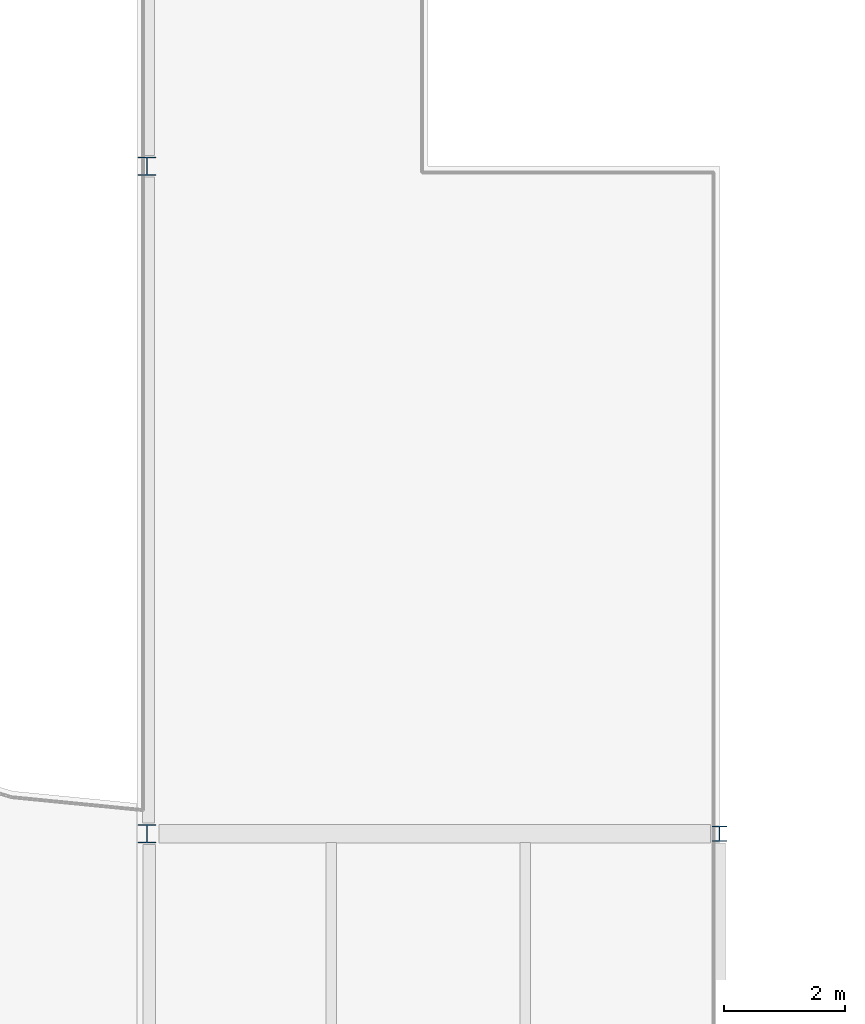
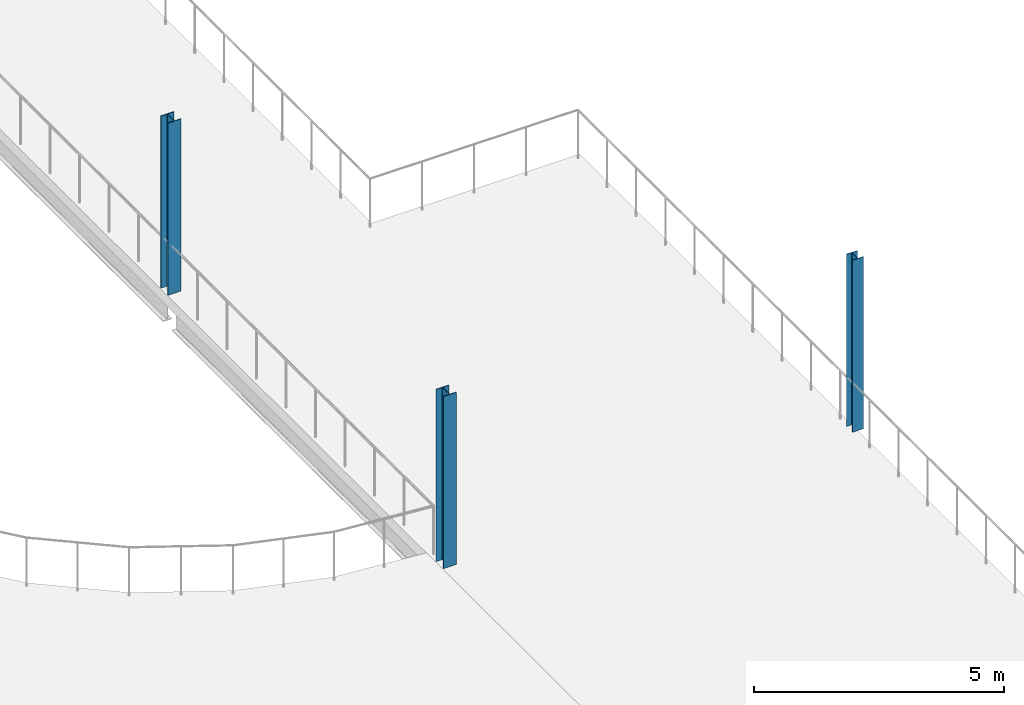
# One storey, part 4 of 58: 3 columns.
"""IFC4 building model written with IfcOpenShell, lengths in metres."""

from ifc_helpers import new_model, si_unit, direction, frame, origin, origin_2d, place, context, subcontext, project, spatial, i_section, extrude, material, material_profile, profile_set, type_object, element, save


model = new_model("IFC4")

# Units and contexts
model_context = context("Model", 3, precision=1e-05, world=origin(), true_north=direction((0.0, 1.0)))
body_context = subcontext(model_context, "Body", "Model", "MODEL_VIEW")
ifc_project = project(units=[si_unit("LENGTHUNIT", "METRE"), si_unit("AREAUNIT", "SQUARE_METRE"), si_unit("VOLUMEUNIT", "CUBIC_METRE"), si_unit("PLANEANGLEUNIT", "RADIAN"), si_unit("MASSUNIT", "GRAM", prefix="KILO")], contexts=[model_context])

# Site, building, storey
site_placement = place(None, origin())
site = spatial("IfcSite", under=ifc_project, at=site_placement, CompositionType="ELEMENT")
building_placement = place(site_placement, origin())
building = spatial("IfcBuilding", under=site, at=building_placement, Name="Yeouljin Market Hall", CompositionType="ELEMENT")
storey_placement = place(building_placement, frame((0.0, 0.0, 10.800048828125)))
storey = spatial("IfcBuildingStorey", under=building, at=storey_placement, Name="L02", CompositionType="ELEMENT", Elevation=10.800048828125)

# Columns
ifc_material_1 = material(Name="Steel SM355", Category="steel")
ifc_material_profile_1 = material_profile(ifc_material_1, i_section(OverallWidth=0.25, OverallDepth=0.25, WebThickness=0.009033203125, FlangeThickness=0.013916015625, FilletRadius=0.01611328125, at=origin_2d()), Name="H-250x250x9x14")
ifc_profile_set_1 = profile_set([ifc_material_profile_1], Name="Steel SM355")
column_type_1 = type_object("IfcColumnType", Name="Col_H-250x250x9x14", PredefinedType="COLUMN", material=ifc_profile_set_1)
column_placement = place(storey_placement, frame((45.0, 46.0, 0.0), z_axis=(0.0, 0.0, 1.0), x_axis=(1.0, 0.0, 0.0)))
element("IfcColumn", 1, at=column_placement, inside=storey, type_object=column_type_1, Name="Column G-06-05 (L02)", PredefinedType="COLUMN", context=body_context, shape_type="SweptSolid", body=[
    extrude(i_section(OverallWidth=0.25, OverallDepth=0.25, WebThickness=0.009033203125, FlangeThickness=0.013916015625, FilletRadius=0.01611328125, at=origin_2d()), origin(), (0.0, 0.0, 1.0), 4.199951171875),
])
ifc_material_2 = material(Name="Steel SM355", Category="steel")
ifc_material_profile_2 = material_profile(ifc_material_2, i_section(OverallWidth=0.300048828125, OverallDepth=0.300048828125, WebThickness=0.010009765625, FlangeThickness=0.014892578125, FilletRadius=0.01806640625, at=origin_2d()), Name="H-300x300x10x15")
ifc_profile_set_2 = profile_set([ifc_material_profile_2], Name="Steel SM355")
column_type_2 = type_object("IfcColumnType", Name="Col_H-300x300x10x15", PredefinedType="COLUMN", material=ifc_profile_set_2)
for number, where, z_axis, x_axis, name in (
    (2, (35.56494140625, 46.0, 0.0), (0.0, 0.0, 1.0), (1.0, 0.0, 0.0), "Column G-05-05 (L02)"),
    (3, (35.56494140625, 57.0, 0.0), (0.0, 0.0, 1.0), (1.0, 0.0, 0.0), "Column G-05-06 (L02)"),
):
    element("IfcColumn", number, at=place(storey_placement, frame(where, z_axis=z_axis, x_axis=x_axis)), inside=storey, type_object=column_type_2, Name=name, PredefinedType="COLUMN", context=body_context, shape_type="SweptSolid", body=[
        extrude(i_section(OverallWidth=0.300048828125, OverallDepth=0.300048828125, WebThickness=0.010009765625, FlangeThickness=0.014892578125, FilletRadius=0.01806640625, at=origin_2d()), origin(), (0.0, 0.0, 1.0), 4.199951171875),
    ])

save(model, "model.ifc")
